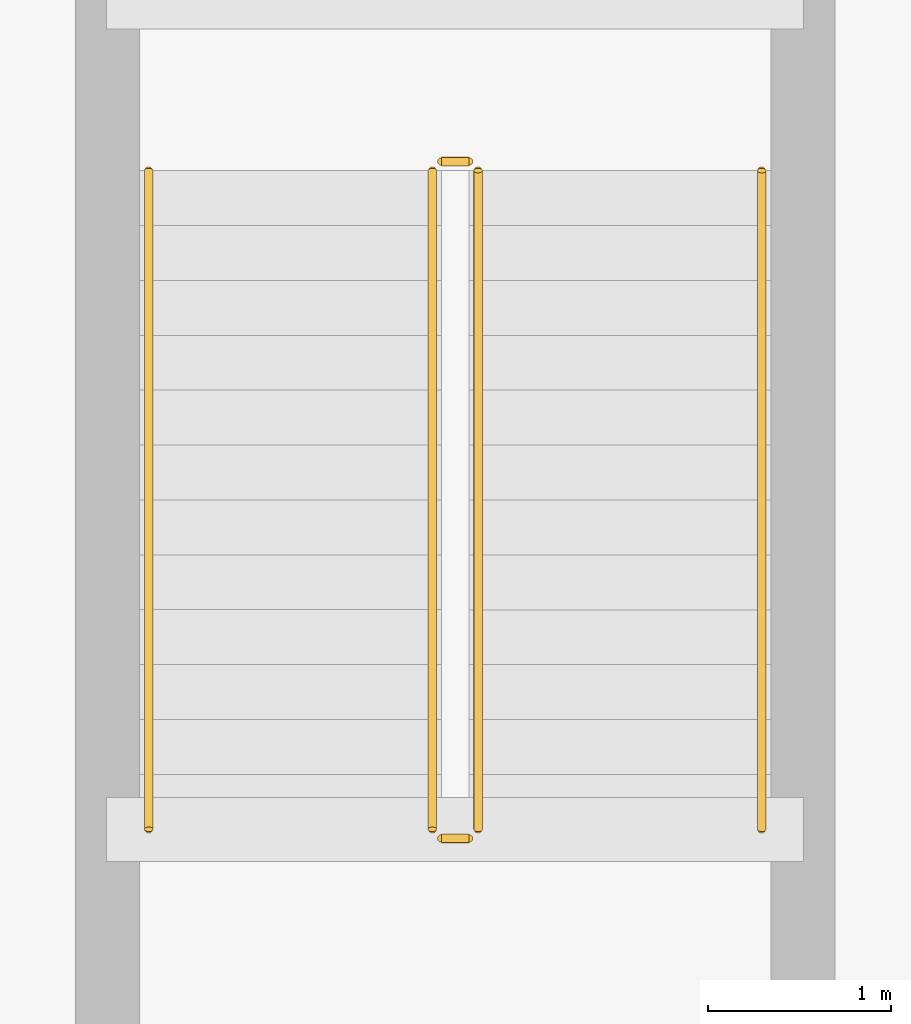
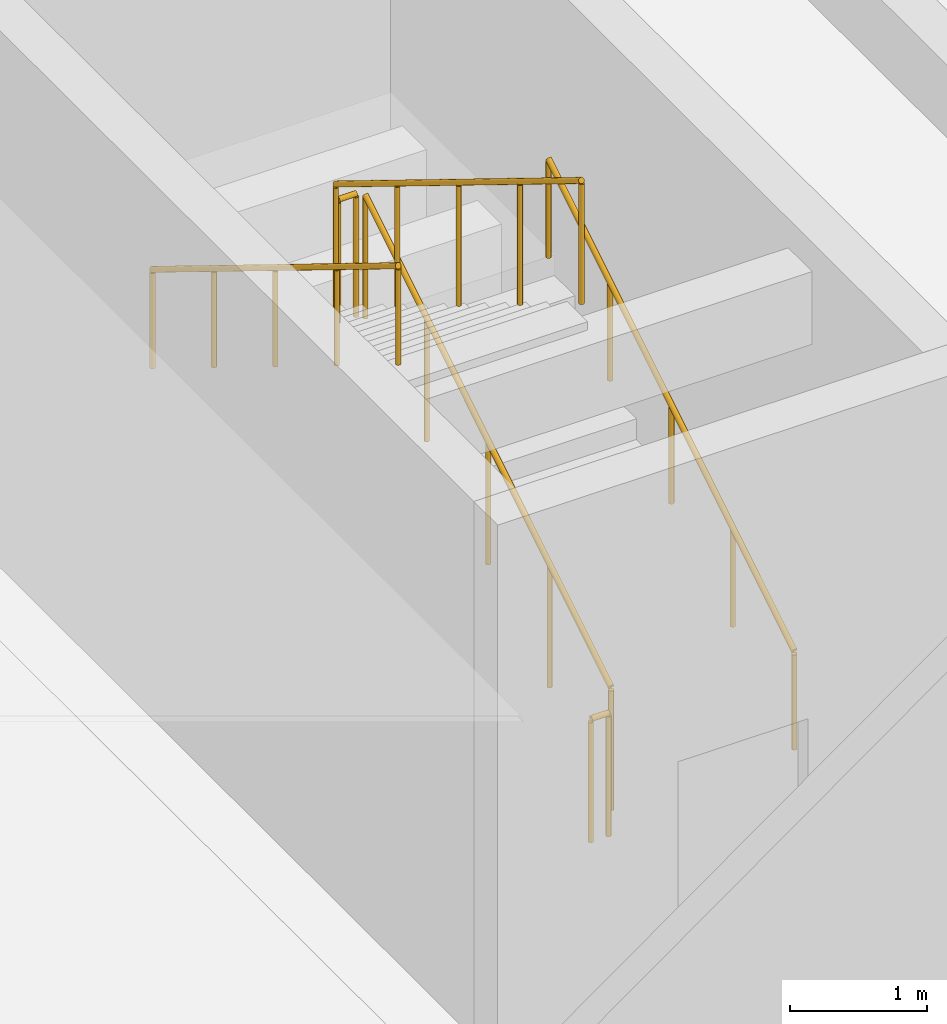
# One storey, part 110 of 122: 6 railings.
"""IFC4 building model written with IfcOpenShell, lengths in metres."""

from ifc_helpers import new_model, si_unit, direction, frame, origin, origin_2d, place, context, subcontext, project, spatial, circle, extrude, material, material_profile, profile_set, type_object, element, save


model = new_model("IFC4")

# Units and contexts
model_context = context("Model", 3, precision=1e-05, world=origin(), true_north=direction((0.0, 1.0)))
body_context = subcontext(model_context, "Body", "Model", "MODEL_VIEW")
ifc_project = project(units=[si_unit("LENGTHUNIT", "METRE"), si_unit("AREAUNIT", "SQUARE_METRE"), si_unit("VOLUMEUNIT", "CUBIC_METRE"), si_unit("PLANEANGLEUNIT", "RADIAN"), si_unit("MASSUNIT", "GRAM", prefix="KILO")], contexts=[model_context])

# Site, building, storey
site_placement = place(None, origin())
site = spatial("IfcSite", under=ifc_project, at=site_placement, CompositionType="ELEMENT")
building_placement = place(site_placement, origin())
building = spatial("IfcBuilding", under=site, at=building_placement, Name="Tazoul Stagehouse", CompositionType="ELEMENT")
storey_placement = place(building_placement, origin())
storey = spatial("IfcBuildingStorey", under=building, at=storey_placement, Name="L00", CompositionType="ELEMENT", Elevation=0.0)

# Railings
ifc_material = material(Name="Brushed Stainless Steel 316L", Category="steel")
ifc_material_profile_1 = material_profile(ifc_material, circle(Radius=0.02392578125, at=origin_2d()), Name="SS RAIL D48")
ifc_profile_set_1 = profile_set([ifc_material_profile_1], Name="Brushed Stainless Steel 316L")
railing_type_1 = type_object("IfcRailingType", Name="Architectural Guardrail H1120", PredefinedType="GUARDRAIL", material=ifc_profile_set_1)
railing_1_placement = place(storey_placement, frame((86.050048828125, 29.47998046875, 0.1845703125)))
element("IfcRailing", 1, at=railing_1_placement, inside=storey, type_object=railing_type_1, Name="L00 ST-08 stair guard 1", PredefinedType="GUARDRAIL", context=body_context, shape_type="SweptSolid", body=[
    extrude(circle(Radius=0.02392578125, at=origin_2d()), frame((0.0, 0.0, 1.09619140625), z_axis=(0.0, 0.85167021472, 0.524078090897), x_axis=(-1.0, 0.0, 0.0)), (0.0, 0.0, 1.0), 4.22705078125),
    extrude(circle(Radius=0.02099609375, at=origin_2d()), origin(), (0.0, 0.0, 1.0), 1.072021484375),
    extrude(circle(Radius=0.02099609375, at=origin_2d()), frame((0.0, 0.89990234375, 0.5537109375)), (0.0, 0.0, 1.0), 1.072021484375),
    extrude(circle(Radius=0.02099609375, at=origin_2d()), frame((0.0, 1.800048828125, 1.107666015625)), (0.0, 0.0, 1.0), 1.072021484375),
    extrude(circle(Radius=0.02099609375, at=origin_2d()), frame((0.0, 2.7001953125, 1.66162109375)), (0.0, 0.0, 1.0), 1.072021484375),
    extrude(circle(Radius=0.02099609375, at=origin_2d()), frame((0.0, 3.60009765625, 2.21533203125)), (0.0, 0.0, 1.0), 1.072021484375),
])
railing_2_placement = place(storey_placement, frame((86.0, 33.1298828125, 2.39990234375)))
element("IfcRailing", 2, at=railing_2_placement, inside=storey, type_object=railing_type_1, Name="L00 ST-08 stair guard 2", PredefinedType="GUARDRAIL", context=body_context, shape_type="SweptSolid", body=[
    extrude(circle(Radius=0.02392578125, at=origin_2d()), frame((0.0, 0.0, 1.09619140625), z_axis=(-1.0, 0.0, 0.0), x_axis=(0.0, -1.0, 0.0)), (0.0, 0.0, 1.0), 0.14990234375),
    extrude(circle(Radius=0.02099609375, at=origin_2d()), origin(), (0.0, 0.0, 1.0), 1.072021484375),
    extrude(circle(Radius=0.02099609375, at=origin_2d()), frame((-0.14990234375, 0.0, 0.0)), (0.0, 0.0, 1.0), 1.072021484375),
])
railing_3_placement = place(storey_placement, frame((85.800048828125, 33.080078125, 2.584716796875)))
element("IfcRailing", 3, at=railing_3_placement, inside=storey, type_object=railing_type_1, Name="L00 ST-08 stair guard 3", PredefinedType="GUARDRAIL", context=body_context, shape_type="SweptSolid", body=[
    extrude(circle(Radius=0.02392578125, at=origin_2d()), frame((0.0, 0.0, 1.09619140625), z_axis=(0.0, -0.85167021472, 0.524078090897), x_axis=(1.0, 0.0, 0.0)), (0.0, 0.0, 1.0), 4.22705078125),
    extrude(circle(Radius=0.02099609375, at=origin_2d()), origin(), (0.0, 0.0, 1.0), 1.072021484375),
    extrude(circle(Radius=0.02099609375, at=origin_2d()), frame((0.0, -0.89990234375, 0.5537109375)), (0.0, 0.0, 1.0), 1.072021484375),
    extrude(circle(Radius=0.02099609375, at=origin_2d()), frame((0.0, -1.800048828125, 1.107666015625)), (0.0, 0.0, 1.0), 1.072021484375),
    extrude(circle(Radius=0.02099609375, at=origin_2d()), frame((0.0, -2.7001953125, 1.66162109375)), (0.0, 0.0, 1.0), 1.072021484375),
    extrude(circle(Radius=0.02099609375, at=origin_2d()), frame((0.0, -3.60009765625, 2.21533203125)), (0.0, 0.0, 1.0), 1.072021484375),
])
railing_4_placement = place(storey_placement, frame((86.0, 29.429931640625, 0.0)))
element("IfcRailing", 4, at=railing_4_placement, inside=storey, type_object=railing_type_1, Name="L00 ST-08 stair guard 4", PredefinedType="GUARDRAIL", context=body_context, shape_type="SweptSolid", body=[
    extrude(circle(Radius=0.02392578125, at=origin_2d()), frame((0.0, 0.0, 1.09619140625), z_axis=(-1.0, 0.0, 0.0), x_axis=(0.0, -1.0, 0.0)), (0.0, 0.0, 1.0), 0.14990234375),
    extrude(circle(Radius=0.02099609375, at=origin_2d()), origin(), (0.0, 0.0, 1.0), 1.072021484375),
    extrude(circle(Radius=0.02099609375, at=origin_2d()), frame((-0.14990234375, 0.0, 0.0)), (0.0, 0.0, 1.0), 1.072021484375),
])
ifc_material_profile_2 = material_profile(ifc_material, circle(Radius=0.02099609375, at=origin_2d()), Name="SS HANDRAIL D42")
ifc_profile_set_2 = profile_set([ifc_material_profile_2], Name="Brushed Stainless Steel 316L")
railing_type_2 = type_object("IfcRailingType", Name="Continuous Stair Handrail H900", PredefinedType="HANDRAIL", material=ifc_profile_set_2)
railing_5_placement = place(storey_placement, frame((87.60009765625, 29.47998046875, 0.1845703125)))
element("IfcRailing", 5, at=railing_5_placement, inside=storey, type_object=railing_type_2, Name="L00 ST-08 stair handrail 1", PredefinedType="HANDRAIL", context=body_context, shape_type="SweptSolid", body=[
    extrude(circle(Radius=0.02392578125, at=origin_2d()), frame((0.0, 0.0, 0.8759765625), z_axis=(0.0, 0.85167021472, 0.524078090897), x_axis=(-1.0, 0.0, 0.0)), (0.0, 0.0, 1.0), 4.22705078125),
    extrude(circle(Radius=0.02099609375, at=origin_2d()), origin(), (0.0, 0.0, 1.0), 0.851806640625),
    extrude(circle(Radius=0.02099609375, at=origin_2d()), frame((0.0, 0.89990234375, 0.5537109375)), (0.0, 0.0, 1.0), 0.851806640625),
    extrude(circle(Radius=0.02099609375, at=origin_2d()), frame((0.0, 1.800048828125, 1.107666015625)), (0.0, 0.0, 1.0), 0.851806640625),
    extrude(circle(Radius=0.02099609375, at=origin_2d()), frame((0.0, 2.7001953125, 1.66162109375)), (0.0, 0.0, 1.0), 0.851806640625),
    extrude(circle(Radius=0.02099609375, at=origin_2d()), frame((0.0, 3.60009765625, 2.21533203125)), (0.0, 0.0, 1.0), 0.851806640625),
])
railing_6_placement = place(storey_placement, frame((84.25, 33.080078125, 2.584716796875)))
element("IfcRailing", 6, at=railing_6_placement, inside=storey, type_object=railing_type_2, Name="L00 ST-08 stair handrail 2", PredefinedType="HANDRAIL", context=body_context, shape_type="SweptSolid", body=[
    extrude(circle(Radius=0.02392578125, at=origin_2d()), frame((0.0, 0.0, 0.8759765625), z_axis=(0.0, -0.85167021472, 0.524078090897), x_axis=(1.0, 0.0, 0.0)), (0.0, 0.0, 1.0), 4.22705078125),
    extrude(circle(Radius=0.02099609375, at=origin_2d()), origin(), (0.0, 0.0, 1.0), 0.851806640625),
    extrude(circle(Radius=0.02099609375, at=origin_2d()), frame((0.0, -0.89990234375, 0.5537109375)), (0.0, 0.0, 1.0), 0.851806640625),
    extrude(circle(Radius=0.02099609375, at=origin_2d()), frame((0.0, -1.800048828125, 1.107666015625)), (0.0, 0.0, 1.0), 0.851806640625),
    extrude(circle(Radius=0.02099609375, at=origin_2d()), frame((0.0, -2.7001953125, 1.66162109375)), (0.0, 0.0, 1.0), 0.851806640625),
    extrude(circle(Radius=0.02099609375, at=origin_2d()), frame((0.0, -3.60009765625, 2.21533203125)), (0.0, 0.0, 1.0), 0.851806640625),
])

save(model, "model.ifc")
